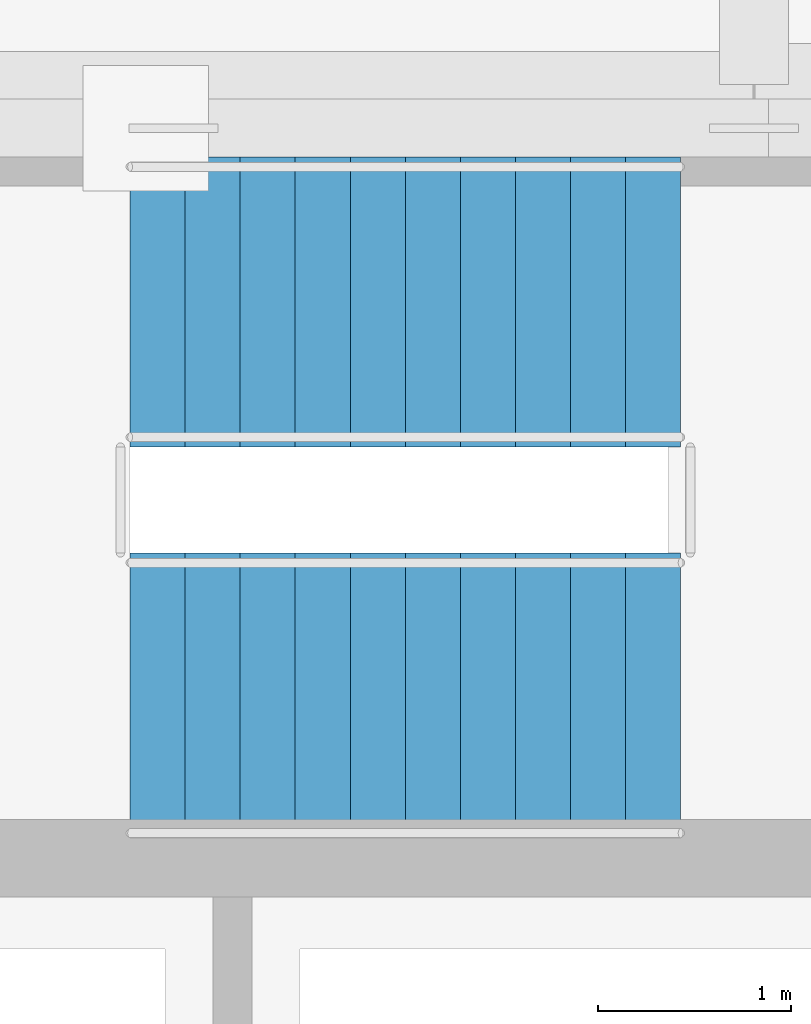
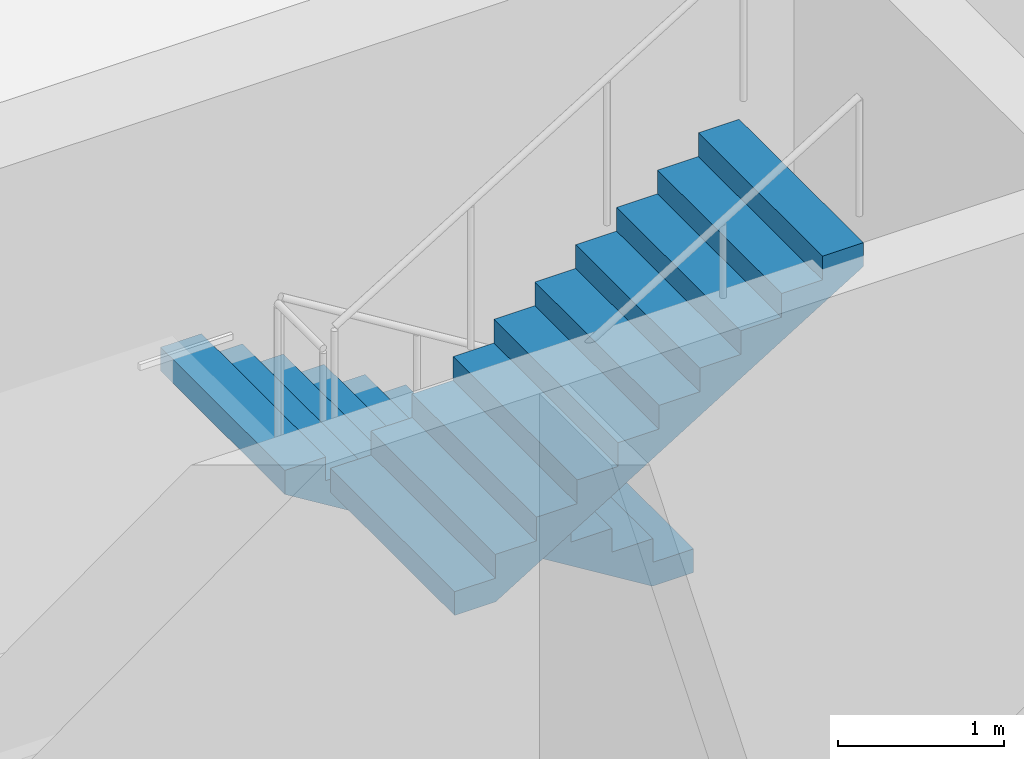
# One storey, part 23 of 24: 2 stair flights, 1 element without a shape of its own.
"""IFC4 building model written with IfcOpenShell, lengths in metres."""

from ifc_helpers import new_model, si_unit, direction, frame, origin, place, context, subcontext, project, spatial, polyline, outline, extrude, material, type_object, element, aggregate, save


model = new_model("IFC4")

# Units and contexts
model_context = context("Model", 3, precision=1e-05, world=origin(), true_north=direction((0.0, 1.0)))
body_context = subcontext(model_context, "Body", "Model", "MODEL_VIEW")
ifc_project = project(units=[si_unit("LENGTHUNIT", "METRE"), si_unit("AREAUNIT", "SQUARE_METRE"), si_unit("VOLUMEUNIT", "CUBIC_METRE"), si_unit("PLANEANGLEUNIT", "RADIAN"), si_unit("MASSUNIT", "GRAM", prefix="KILO")], contexts=[model_context])

# Site, building, storey
site_placement = place(None, origin())
site = spatial("IfcSite", under=ifc_project, at=site_placement, CompositionType="ELEMENT")
building_placement = place(site_placement, origin())
building = spatial("IfcBuilding", under=site, at=building_placement, Name="Cobrela Telecom Tower", CompositionType="ELEMENT")
storey_placement = place(building_placement, frame((0.0, 0.0, 136.85009765625)))
storey = spatial("IfcBuildingStorey", under=building, at=storey_placement, Name="L34", CompositionType="ELEMENT", Elevation=136.85009765625)

# Stair, stair flights
ifc_material = material(Name="Concrete C40/50", Category="concrete")
stair_type = type_object("IfcStairType", Name="STAIR-CORE", PredefinedType="HALF_TURN_STAIR", material=ifc_material)
stair_placement = place(storey_placement, origin())
stair = element("IfcStair", 1, at=stair_placement, inside=storey, type_object=stair_type, Name="L34 Smokeproof Exit Stair ST1", PredefinedType="HALF_TURN_STAIR")
stair_flight_type = type_object("IfcStairFlightType", Name="FLIGHT-CORE", PredefinedType="STRAIGHT", material=ifc_material)
stair_flight_1_placement = place(storey_placement, frame((6.820068359375, 34.800048828125, 0.0), z_axis=(0.0, 0.0, 1.0), x_axis=(-1.0, 0.0, 0.0)))
stair_flight_1 = element("IfcStairFlight", 2, at=stair_flight_1_placement, type_object=stair_flight_type, Name="ST1 flight 1", NumberOfRisers=11, NumberOfTreads=10, PredefinedType="STRAIGHT", RiserHeight=0.175, TreadLength=0.285, context=body_context, shape_type="SweptSolid", body=[
    extrude(outline(polyline([(0.0, 0.0), (0.0, 0.175048828125), (0.284912109375, 0.175048828125), (0.284912109375, 0.35009765625), (0.570068359375, 0.35009765625), (0.570068359375, 0.52490234375), (0.85498046875, 0.52490234375), (0.85498046875, 0.699951171875), (1.139892578125, 0.699951171875), (1.139892578125, 0.875), (1.425048828125, 0.875), (1.425048828125, 1.050048828125), (1.7099609375, 1.050048828125), (1.7099609375, 1.22509765625), (1.9951171875, 1.22509765625), (1.9951171875, 1.39990234375), (2.280029296875, 1.39990234375), (2.280029296875, 1.574951171875), (2.56494140625, 1.574951171875), (2.56494140625, 1.75), (2.85009765625, 1.75), (2.85009765625, 1.925048828125), (2.85009765625, 1.573974609375), (0.286376953125, 0.0), (0.0, 0.0)])), frame((0.0, 0.75, 0.0), z_axis=(0.0, -1.0, 0.0), x_axis=(1.0, 0.0, 0.0)), (0.0, 0.0, 1.0), 1.5),
])
stair_flight_2_placement = place(storey_placement, frame((3.969970703125, 32.75, 1.9248046875), z_axis=(0.0, 0.0, 1.0), x_axis=(1.0, 0.0, 0.0)))
stair_flight_2 = element("IfcStairFlight", 3, at=stair_flight_2_placement, type_object=stair_flight_type, Name="ST1 flight 2", NumberOfRisers=11, NumberOfTreads=10, PredefinedType="STRAIGHT", RiserHeight=0.175, TreadLength=0.285, context=body_context, shape_type="SweptSolid", body=[
    extrude(outline(polyline([(0.0, 0.0), (0.0, 0.175048828125), (0.284912109375, 0.175048828125), (0.284912109375, 0.35009765625), (0.570068359375, 0.35009765625), (0.570068359375, 0.52490234375), (0.85498046875, 0.52490234375), (0.85498046875, 0.699951171875), (1.139892578125, 0.699951171875), (1.139892578125, 0.875), (1.425048828125, 0.875), (1.425048828125, 1.050048828125), (1.7099609375, 1.050048828125), (1.7099609375, 1.22509765625), (1.9951171875, 1.22509765625), (1.9951171875, 1.39990234375), (2.280029296875, 1.39990234375), (2.280029296875, 1.574951171875), (2.56494140625, 1.574951171875), (2.56494140625, 1.75), (2.85009765625, 1.75), (2.85009765625, 1.925048828125), (2.85009765625, 1.573974609375), (0.286376953125, 0.0), (0.0, 0.0)])), frame((0.0, 0.75, 0.0), z_axis=(0.0, -1.0, 0.0), x_axis=(1.0, 0.0, 0.0)), (0.0, 0.0, 1.0), 1.5),
])
aggregate(stair, [stair_flight_1, stair_flight_2])

save(model, "model.ifc")
